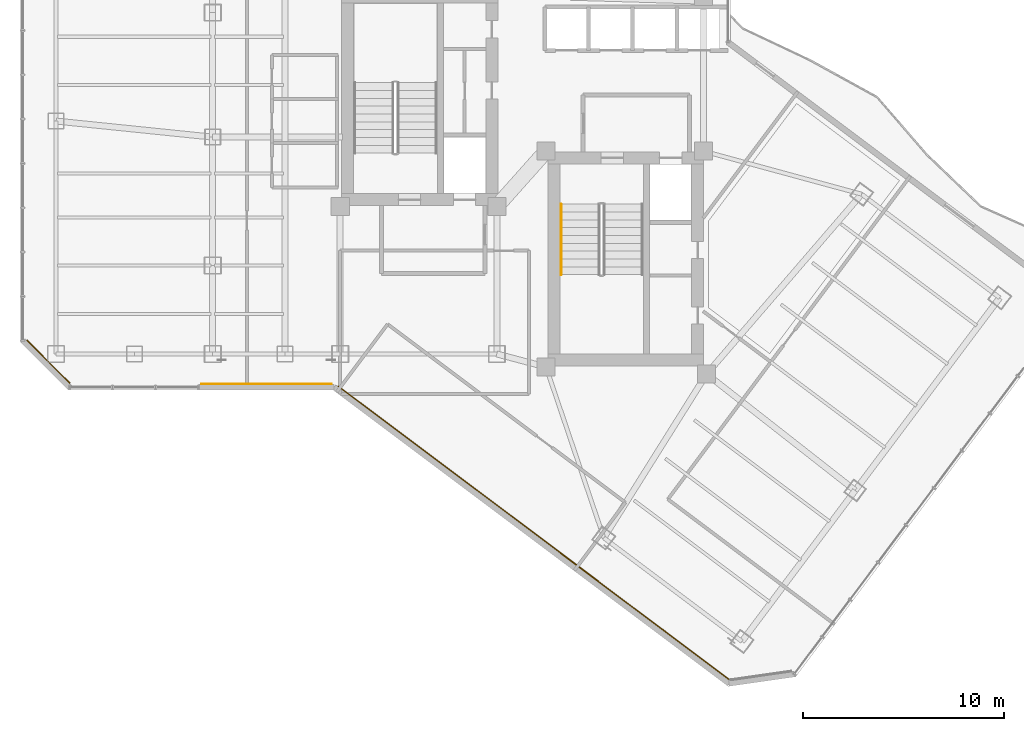
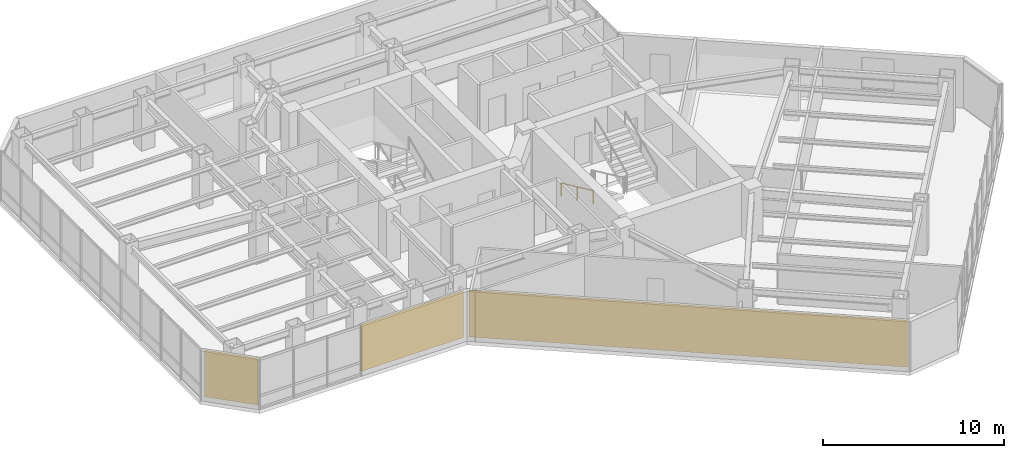
# One storey, part 24 of 26: 3 coverings, 1 railing.
"""IFC4 building model written with IfcOpenShell, lengths in metres."""

from ifc_helpers import new_model, si_unit, direction, frame, origin, origin_2d, place, context, subcontext, project, spatial, rectangle, circle, extrude, material, layer, layer_set, type_object, element, save


model = new_model("IFC4")

# Units and contexts
model_context = context("Model", 3, precision=1e-05, world=origin(), true_north=direction((0.0, 1.0)))
body_context = subcontext(model_context, "Body", "Model", "MODEL_VIEW")
ifc_project = project(units=[si_unit("LENGTHUNIT", "METRE"), si_unit("AREAUNIT", "SQUARE_METRE"), si_unit("VOLUMEUNIT", "CUBIC_METRE"), si_unit("PLANEANGLEUNIT", "RADIAN"), si_unit("MASSUNIT", "GRAM", prefix="KILO")], contexts=[model_context])

# Site, building, storey
site_placement = place(None, origin())
site = spatial("IfcSite", under=ifc_project, at=site_placement, CompositionType="ELEMENT")
building_placement = place(site_placement, origin())
building = spatial("IfcBuilding", under=site, at=building_placement, Name="Hatsunagi Terrace Concourse", CompositionType="ELEMENT")
storey_placement = place(building_placement, frame((0.0, 0.0, 152.85009765625)))
storey = spatial("IfcBuildingStorey", under=building, at=storey_placement, Name="L40", CompositionType="ELEMENT", Elevation=152.85009765625)

# Railing
ifc_material_1 = material(Name="Stainless steel", Category="steel")
ifc_layer_1 = layer(ifc_material_1, 0.044921875)
ifc_layer_set_1 = layer_set([ifc_layer_1], Name="StairPitchHandrail_Tower2000")
railing_type = type_object("IfcRailingType", Name="StairPitchHandrail_Tower2000", PredefinedType="HANDRAIL", material=ifc_layer_set_1)
railing_placement = place(storey_placement, frame((36.550048828125, 32.659912109375, 0.179931640625)))
element("IfcRailing", 1, at=railing_placement, inside=storey, type_object=railing_type, Name="L40 ST-B stair handrail 1", PredefinedType="HANDRAIL", context=body_context, shape_type="SweptSolid", body=[
    extrude(circle(Radius=0.02392578125, at=origin_2d()), frame((0.0, 0.0, 0.8759765625), z_axis=(0.0, -0.907972323039, 0.419030142823), x_axis=(1.0, 0.0, 0.0)), (0.0, 0.0, 1.0), 3.86572265625),
    extrude(circle(Radius=0.02099609375, at=origin_2d()), origin(), (0.0, 0.0, 1.0), 0.851806640625),
    extrude(circle(Radius=0.02099609375, at=origin_2d()), frame((0.0, -1.7548828125, 0.81005859375)), (0.0, 0.0, 1.0), 0.851806640625),
    extrude(circle(Radius=0.02099609375, at=origin_2d()), frame((0.0, -3.510009765625, 1.619873046875)), (0.0, 0.0, 1.0), 0.851806640625),
])

# Coverings
ifc_material_2 = material(Name="Unglazed Warm Terracotta Rainscreen Tile", Category="masonry")
ifc_layer_2 = layer(ifc_material_2, 0.044921875)
ifc_layer_set_2 = layer_set([ifc_layer_2], Name="TerracottaRainscreenCladding_45")
covering_type = type_object("IfcCoveringType", Name="TerracottaRainscreenCladding_45", PredefinedType="CLADDING", material=ifc_layer_set_2)
covering_1_placement = place(storey_placement, frame((35.179931640625, 16.29296875, 0.099853515625), z_axis=(0.0, 0.0, 1.0), x_axis=(-0.800005211305, 0.599993051531, 0.0)))
element("IfcCovering", 2, at=covering_1_placement, inside=storey, type_object=covering_type, Name="Terracotta Rainscreen Cladding L40-05", PredefinedType="CLADDING", context=body_context, shape_type="SweptSolid", body=[
    extrude(rectangle(XDim=24.34912109375, YDim=0.044921875, at=origin_2d()), origin(), (0.0, 0.0, 1.0), 3.14990234375),
])
covering_2_placement = place(storey_placement, frame((21.873046875, 23.701904296875, 0.099853515625), z_axis=(0.0, 0.0, 1.0), x_axis=(-1.0, 0.0, 0.0)))
element("IfcCovering", 3, at=covering_2_placement, inside=storey, type_object=covering_type, Name="Terracotta Rainscreen Cladding L40-06", PredefinedType="CLADDING", context=body_context, shape_type="SweptSolid", body=[
    extrude(rectangle(XDim=6.507080078125, YDim=0.044921875, at=origin_2d()), origin(), (0.0, 0.0, 1.0), 3.14990234375),
])
covering_3_placement = place(storey_placement, frame((11.013916015625, 24.81396484375, 0.099853515625), z_axis=(0.0, 0.0, 1.0), x_axis=(-0.707106781187, 0.707106781187, 0.0)))
element("IfcCovering", 4, at=covering_3_placement, inside=storey, type_object=covering_type, Name="Terracotta Rainscreen Cladding L40-08", PredefinedType="CLADDING", context=body_context, shape_type="SweptSolid", body=[
    extrude(rectangle(XDim=3.0380859375, YDim=0.044921875, at=origin_2d()), origin(), (0.0, 0.0, 1.0), 3.14990234375),
])

save(model, "model.ifc")
